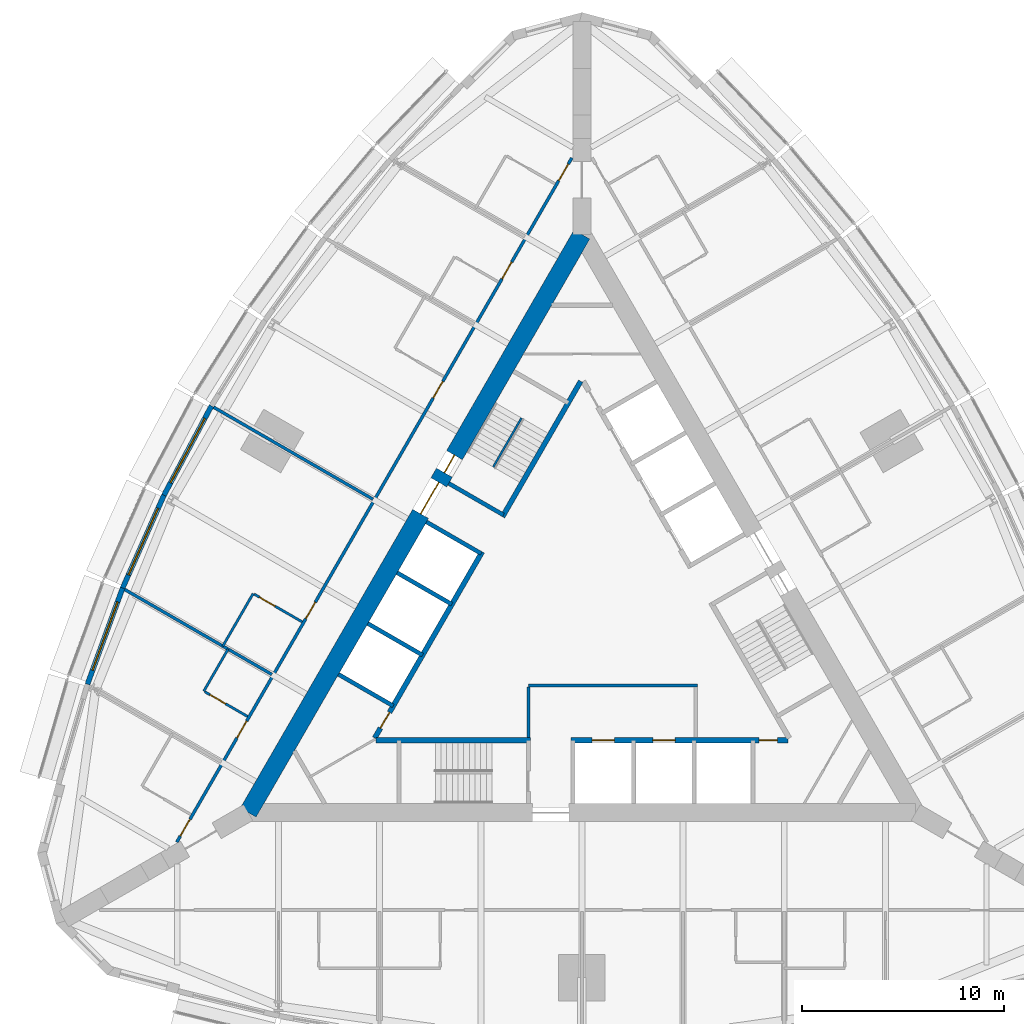
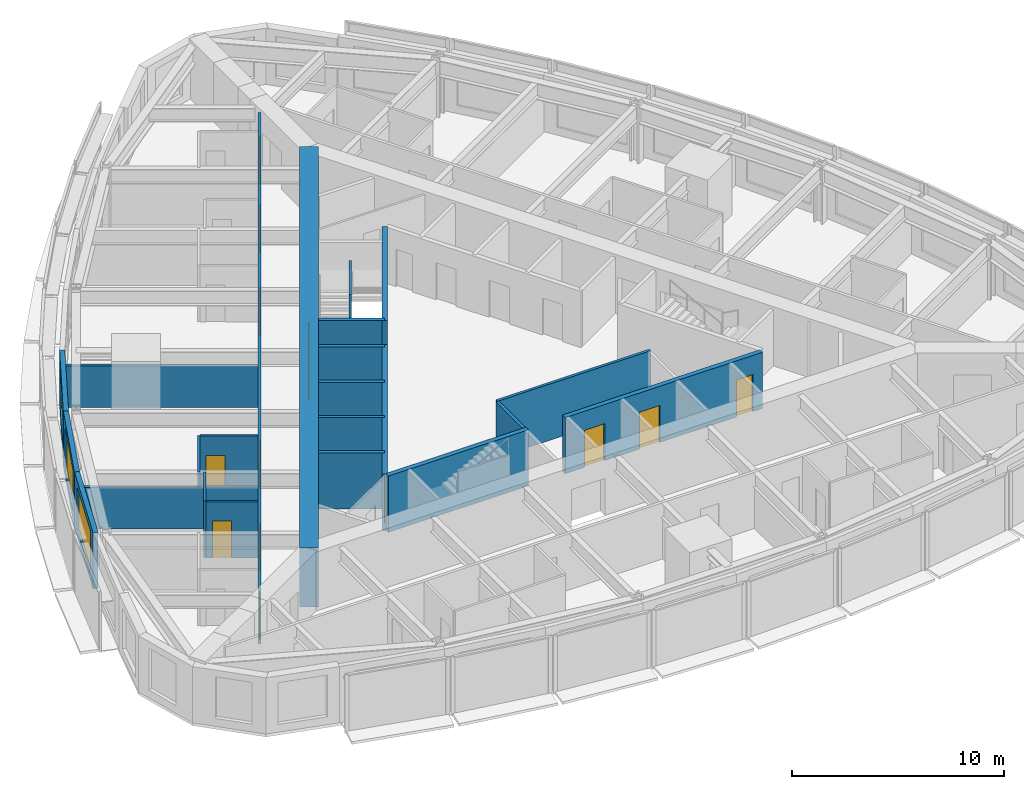
# One storey, part 9 of 14: 23 walls, 14 doors, 3 windows, 17 openings.
"""IFC4 building model written with IfcOpenShell, lengths in metres."""

import ifcopenshell
import ifcopenshell.guid

model = None  # the IFC model being written
_history = None  # IfcOwnerHistory: only IFC2X3 demands one
_inside = {}  # id of a spatial element -> (the spatial element, [elements in it])
_under = {}  # id of a project, library or spatial element -> (it, [spatial elements below it])
_declared = {}  # id of a project -> (the project, [libraries it declares])
_typed = {}  # id of a type object -> (the type object, [elements of that type])
_made_of = {}  # id of a material, layer set ... -> (it, [elements and type objects made of it])


def new_model(schema):
    """Start an empty IFC model of exactly this schema.

    Asked for "IFC4X3", IfcOpenShell would pick the latest addendum, in which some entities
    have other attributes; the version numbers below select the first issue.
    IFC2X3 requires an IfcOwnerHistory on every rooted entity: one is made here for all.
    """
    global model, _history
    if schema == "IFC4X3":
        model = ifcopenshell.file(schema_version=(4, 3, 0, 0))
    else:
        model = ifcopenshell.file(schema=schema)
    _inside.clear()
    _under.clear()
    _declared.clear()
    _typed.clear()
    _made_of.clear()
    _history = None
    if model.schema == "IFC2X3":
        org = make("IfcOrganization", Name="unknown")
        user = make(
            "IfcPersonAndOrganization",
            ThePerson=make("IfcPerson", FamilyName="unknown"),
            TheOrganization=org,
        )
        app = make(
            "IfcApplication",
            ApplicationDeveloper=org,
            Version="unknown",
            ApplicationFullName="unknown",
            ApplicationIdentifier="unknown",
        )
        _history = make(
            "IfcOwnerHistory",
            OwningUser=user,
            OwningApplication=app,
            ChangeAction="ADDED",
            CreationDate=0,
        )
    return model


def make(cls, **values):
    """One entity of the class cls with the attributes given. An attribute that is None is left unset."""
    return model.create_entity(
        cls, **{name: value for name, value in values.items() if value is not None}
    )


def rooted(cls, **values):
    """An entity with a GlobalId (a new one), such as an element, a storey or a relation."""
    return make(cls, GlobalId=ifcopenshell.guid.new(), OwnerHistory=_history, **values)


def si_unit(unit_type, name, prefix=None):
    """IfcSIUnit, for example si_unit("LENGTHUNIT", "METRE", prefix="MILLI")."""
    return make("IfcSIUnit", UnitType=unit_type, Prefix=prefix, Name=name)


def assignment(units):
    """IfcUnitAssignment: the units of a project."""
    return None if units is None else make("IfcUnitAssignment", Units=units)


def point(xyz):
    """IfcCartesianPoint."""
    return None if xyz is None else make("IfcCartesianPoint", Coordinates=xyz)


def direction(xyz):
    """IfcDirection."""
    return None if xyz is None else make("IfcDirection", DirectionRatios=xyz)


def frame(location, z_axis=None, x_axis=None):
    """IfcAxis2Placement3D, a coordinate frame: its origin and axes. An axis left out is left unset."""
    return make(
        "IfcAxis2Placement3D",
        Location=point(location),
        Axis=direction(z_axis),
        RefDirection=direction(x_axis),
    )


def frame_2d(location, x_axis=None):
    """IfcAxis2Placement2D, a coordinate frame in the plane: its origin and x axis."""
    return make(
        "IfcAxis2Placement2D", Location=point(location), RefDirection=direction(x_axis)
    )


def origin():
    """The frame at (0, 0, 0) with its axes left unset."""
    return frame((0.0, 0.0, 0.0))


def place(relative_to, where):
    """IfcLocalPlacement: puts the frame where relative to a parent placement (None: the world)."""
    return make(
        "IfcLocalPlacement", PlacementRelTo=relative_to, RelativePlacement=where
    )


def context(
    kind, dimensions, precision=None, world=None, true_north=None, identifier=None
):
    """IfcGeometricRepresentationContext, for example the 3D "Model" context."""
    return make(
        "IfcGeometricRepresentationContext",
        ContextIdentifier=identifier,
        ContextType=kind,
        CoordinateSpaceDimension=dimensions,
        Precision=precision,
        WorldCoordinateSystem=world,
        TrueNorth=true_north,
    )


def subcontext(parent, identifier, kind, view, scale=None):
    """IfcGeometricRepresentationSubContext, for example "Body" below "Model"."""
    return make(
        "IfcGeometricRepresentationSubContext",
        ContextIdentifier=identifier,
        ContextType=kind,
        ParentContext=parent,
        TargetScale=scale,
        TargetView=view,
    )


def project(units=None, contexts=None):
    """IfcProject with its units and contexts."""
    return rooted(
        "IfcProject",
        Name="project",
        RepresentationContexts=contexts,
        UnitsInContext=assignment(units),
    )


def spatial(cls, under=None, at=None, **own):
    """A site, building, storey or space (cls), placed at a placement, below another one or the project."""
    s = rooted(cls, ObjectPlacement=at, **own)
    if under is not None:
        _under.setdefault(under.id(), (under, []))[1].append(s)
    return s


def profile(cls, at=None, kind="AREA", **sizes):
    """A parametric profile (cls). Its sizes go by their IFC names, for example OverallWidth=200.0."""
    return make(cls, ProfileType=kind, Position=at, **sizes)


def rectangle(**sizes):
    """IfcRectangleProfileDef."""
    return profile("IfcRectangleProfileDef", **sizes)


def extrude(swept, where, along, depth):
    """IfcExtrudedAreaSolid: the profile swept, set in the frame where, extruded along a direction by depth."""
    return make(
        "IfcExtrudedAreaSolid",
        SweptArea=swept,
        Position=where,
        ExtrudedDirection=direction(along),
        Depth=depth,
    )


def shape(context_of_items, identifier, shape_type, items):
    """IfcShapeRepresentation: the items that make up one representation, for example the "Body"."""
    return make(
        "IfcShapeRepresentation",
        ContextOfItems=context_of_items,
        RepresentationIdentifier=identifier,
        RepresentationType=shape_type,
        Items=items,
    )


def material(Name=None, Category=None):
    """IfcMaterial."""
    return make("IfcMaterial", Name=Name, Category=Category)


def layer(
    of_material, thickness, ventilated=None, Name=None, Category=None, Priority=None
):
    """IfcMaterialLayer: one layer of a wall or slab, of a material (None: an air gap)."""
    return make(
        "IfcMaterialLayer",
        Material=of_material,
        LayerThickness=thickness,
        IsVentilated=ventilated,
        Name=Name,
        Category=Category,
        Priority=Priority,
    )


def layer_set(layers, Name=None):
    """IfcMaterialLayerSet."""
    return make("IfcMaterialLayerSet", MaterialLayers=layers, LayerSetName=Name)


def made_of(thing, what):
    """Note that an element or type object is made of a material, layer set ...; save() writes the relation."""
    if what is not None:
        _made_of.setdefault(what.id(), (what, []))[1].append(thing)
    return thing


def type_object(cls, material=None, **own):
    """A type object (cls), such as IfcWallType, which elements share."""
    return made_of(rooted(cls, **own), material)


def element(
    cls,
    number,
    at=None,
    inside=None,
    cuts=None,
    type_object=None,
    material=None,
    context=None,
    identifier="Body",
    shape_type=None,
    held_by="IfcProductDefinitionShape",
    body=None,
    shapes=None,
    **own,
):
    """One element of the class cls, such as IfcWall. Its Tag is "e" and its number.

    at: its placement. inside: the storey or other place that contains it. cuts: it is an
    opening in that element (IfcRelVoidsElement). A single representation is given by context,
    identifier, shape_type and body (its items); several are given by shapes. held_by: the class
    of the entity that holds the representations. save() writes the other relations.
    """
    e = rooted(cls, Tag="e%d" % number, ObjectPlacement=at, **own)
    if body is not None:
        shapes = [shape(context, identifier, shape_type, body)]
    if shapes is not None:
        e.Representation = make(held_by, Representations=shapes)
    if inside is not None:
        _inside.setdefault(inside.id(), (inside, []))[1].append(e)
    if cuts is not None:
        rooted(
            "IfcRelVoidsElement", RelatingBuildingElement=cuts, RelatedOpeningElement=e
        )
    if type_object is not None:
        _typed.setdefault(type_object.id(), (type_object, []))[1].append(e)
    return made_of(e, material)


def fill(opening, filler):
    """IfcRelFillsElement: the door or window that sits in an opening."""
    return rooted(
        "IfcRelFillsElement",
        RelatingOpeningElement=opening,
        RelatedBuildingElement=filler,
    )


def aggregate(whole, parts):
    """IfcRelAggregates: a whole, such as a stair, and the parts it consists of."""
    return rooted("IfcRelAggregates", RelatingObject=whole, RelatedObjects=parts)


def save(model, path):
    """Write the relations noted so far, then the file.

    IfcRelAggregates (storeys below a building ...), IfcRelContainedInSpatialStructure (elements
    in a storey), IfcRelDefinesByType, IfcRelAssociatesMaterial and IfcRelDeclares: one each for
    every whole, place, type object, material and project.
    """
    for whole, parts in _under.values():
        aggregate(whole, parts)
    for where, things in _inside.values():
        rooted(
            "IfcRelContainedInSpatialStructure",
            RelatedElements=things,
            RelatingStructure=where,
        )
    for kind, things in _typed.values():
        rooted("IfcRelDefinesByType", RelatedObjects=things, RelatingType=kind)
    for what, things in _made_of.values():
        rooted("IfcRelAssociatesMaterial", RelatedObjects=things, RelatingMaterial=what)
    for by, libraries in _declared.values():
        rooted("IfcRelDeclares", RelatingContext=by, RelatedDefinitions=libraries)
    model.write(path)


model = new_model("IFC4")

# Units and contexts
model_context = context("Model", 3, precision=1e-05, world=origin(), true_north=direction((0.0, 1.0)))
body_context = subcontext(model_context, "Body", "Model", "MODEL_VIEW")
ifc_project = project(units=[si_unit("LENGTHUNIT", "METRE"), si_unit("AREAUNIT", "SQUARE_METRE"), si_unit("VOLUMEUNIT", "CUBIC_METRE"), si_unit("PLANEANGLEUNIT", "RADIAN"), si_unit("MASSUNIT", "GRAM", prefix="KILO")], contexts=[model_context])

# Site, building, storey
site_placement = place(None, origin())
site = spatial("IfcSite", under=ifc_project, at=site_placement, CompositionType="ELEMENT")
building_placement = place(site_placement, origin())
building = spatial("IfcBuilding", under=site, at=building_placement, Name="Trikona Tower", CompositionType="ELEMENT")
storey_placement = place(building_placement, frame((0.0, 0.0, 155.5)))
storey = spatial("IfcBuildingStorey", under=building, at=storey_placement, Name="L41", CompositionType="ELEMENT", Elevation=155.5)

# Wall
ifc_material_1 = material(Name="Metal stud and cement board", Category="gypsum")
ifc_layer_1 = layer(ifc_material_1, 0.1201171875)
ifc_layer_set_1 = layer_set([ifc_layer_1], Name="Bathroom wall 120")
wall_type_1 = type_object("IfcWallType", Name="Bathroom wall 120", PredefinedType="PLUMBINGWALL", material=ifc_layer_set_1)
wall_1_placement = place(storey_placement, frame((-16.25341796875, 1.301025390625, 0.0), z_axis=(0.0, 0.0, 1.0), x_axis=(-0.499990139034, -0.866031096941, 0.0)))
element("IfcWall", 1, at=wall_1_placement, inside=storey, type_object=wall_type_1, Name="Bathroom wall 4113", PredefinedType="PLUMBINGWALL", context=body_context, shape_type="SweptSolid", body=[
    extrude(rectangle(XDim=3.0, YDim=0.1201171875, at=frame_2d((1.5, 0.0))), origin(), (0.0, 0.0, 1.0), 3.235107421875),
])

# Wall, opening, door
wall_2_placement = place(storey_placement, frame((-13.82861328125, -0.09912109375, 0.0), z_axis=(0.0, 0.0, 1.0), x_axis=(-0.865997131366, 0.500048966069, 0.0)))
wall_2 = element("IfcWall", 2, at=wall_2_placement, inside=storey, type_object=wall_type_1, Name="Bathroom wall 4113", PredefinedType="PLUMBINGWALL", context=body_context, shape_type="SweptSolid", body=[
    extrude(rectangle(XDim=2.739990234375, YDim=0.1201171875, at=frame_2d((1.3701171875, 0.0))), origin(), (0.0, 0.0, 1.0), 3.235107421875),
])
opening_1_placement = place(wall_2_placement, frame((1.550048828125, 0.0, 0.0)))
opening_1 = element("IfcOpeningElement", 3, at=opening_1_placement, cuts=wall_2, Name="Opening D2", PredefinedType="OPENING", context=body_context, shape_type="SweptSolid", body=[
    extrude(rectangle(XDim=0.89990234375, YDim=2.1298828125, at=frame_2d((0.449951171875, 1.06494140625))), frame((0.0, 0.070068359375, 0.0), z_axis=(0.0, -1.0, 0.0), x_axis=(1.0, 0.0, 0.0)), (0.0, 0.0, 1.0), 0.14013671875),
])
ifc_material_2 = material(Name="Steel door frame with solid-core timber leaf", Category="steel")
door_type_1 = type_object("IfcDoorType", Name="Bathroom door 900x2130", OperationType="SLIDING_TO_LEFT", PredefinedType="DOOR", material=ifc_material_2)
door_1_placement = place(opening_1_placement, origin())
door_1 = element("IfcDoor", 4, at=door_1_placement, inside=storey, type_object=door_type_1, Name="Bathroom door 4113", OperationType="SLIDING_TO_LEFT", OverallHeight=2.1298828125, OverallWidth=0.89990234375, PredefinedType="DOOR", context=body_context, shape_type="SweptSolid", body=[
    extrude(rectangle(XDim=0.89990234375, YDim=2.1298828125, at=frame_2d((0.449951171875, 1.06494140625))), frame((0.0, 0.02490234375, 0.0), z_axis=(0.0, -1.0, 0.0), x_axis=(1.0, 0.0, 0.0)), (0.0, 0.0, 1.0), 0.050048828125),
])
fill(opening_1, door_1)

# Wall
wall_3_placement = place(storey_placement, frame((-17.493408203125, -1.447021484375, 0.0), z_axis=(0.0, 0.0, 1.0), x_axis=(-0.500033551112, -0.866006032174, 0.0)))
element("IfcWall", 5, at=wall_3_placement, inside=storey, type_object=wall_type_1, Name="Bathroom wall 4114", PredefinedType="PLUMBINGWALL", context=body_context, shape_type="SweptSolid", body=[
    extrude(rectangle(XDim=2.400146484375, YDim=0.1201171875, at=frame_2d((1.2001953125, 0.0))), origin(), (0.0, 0.0, 1.0), 3.235107421875),
])

# Wall, opening, door
wall_4_placement = place(storey_placement, frame((-16.528564453125, -4.775634765625, 0.0), z_axis=(0.0, 0.0, 1.0), x_axis=(-0.866023955769, 0.500002508028, 0.0)))
wall_4 = element("IfcWall", 6, at=wall_4_placement, inside=storey, type_object=wall_type_1, Name="Bathroom wall 4114", PredefinedType="PLUMBINGWALL", context=body_context, shape_type="SweptSolid", body=[
    extrude(rectangle(XDim=2.43994140625, YDim=0.1201171875, at=frame_2d((1.219970703125, 0.0))), origin(), (0.0, 0.0, 1.0), 3.235107421875),
])
opening_2_placement = place(wall_4_placement, frame((1.25, 0.0, 0.0)))
opening_2 = element("IfcOpeningElement", 7, at=opening_2_placement, cuts=wall_4, Name="Opening D2", PredefinedType="OPENING", context=body_context, shape_type="SweptSolid", body=[
    extrude(rectangle(XDim=0.89990234375, YDim=2.1298828125, at=frame_2d((0.449951171875, 1.06494140625))), frame((0.0, 0.070068359375, 0.0), z_axis=(0.0, -1.0, 0.0), x_axis=(1.0, 0.0, 0.0)), (0.0, 0.0, 1.0), 0.14013671875),
])
door_2_placement = place(opening_2_placement, origin())
door_2 = element("IfcDoor", 8, at=door_2_placement, inside=storey, type_object=door_type_1, Name="Bathroom door 4114", OperationType="SLIDING_TO_LEFT", OverallHeight=2.1298828125, OverallWidth=0.89990234375, PredefinedType="DOOR", context=body_context, shape_type="SweptSolid", body=[
    extrude(rectangle(XDim=0.89990234375, YDim=2.1298828125, at=frame_2d((0.449951171875, 1.06494140625))), frame((0.0, 0.02490234375, 0.0), z_axis=(0.0, -1.0, 0.0), x_axis=(1.0, 0.0, 0.0)), (0.0, 0.0, 1.0), 0.050048828125),
])
fill(opening_2, door_2)

# Wall, openings, doors
ifc_material_3 = material(Name="Concrete f'c 10000 psi", Category="concrete")
ifc_layer_2 = layer(ifc_material_3, 0.89990234375)
ifc_layer_set_2 = layer_set([ifc_layer_2], Name="Core wall 900")
wall_type_2 = type_object("IfcWallType", Name="Core wall 900", PredefinedType="SHEAR", material=ifc_layer_set_2)
wall_5_placement = place(storey_placement, frame((0.0, 19.052490234375, 0.0), z_axis=(0.0, 0.0, 1.0), x_axis=(-0.499999749417, -0.866025548458, 0.0)))
wall_5 = element("IfcWall", 9, at=wall_5_placement, inside=storey, type_object=wall_type_2, Name="Core wall C", PredefinedType="SHEAR", context=body_context, shape_type="SweptSolid", body=[
    extrude(rectangle(XDim=33.0, YDim=0.89990234375, at=frame_2d((16.5, 0.0))), origin(), (0.0, 0.0, 1.0), 3.39990234375),
])
opening_3_placement = place(wall_5_placement, frame((14.14990234375, 0.0, 0.0)))
opening_3 = element("IfcOpeningElement", 10, at=opening_3_placement, cuts=wall_5, Name="Opening D6", PredefinedType="OPENING", context=body_context, shape_type="SweptSolid", body=[
    extrude(rectangle(XDim=1.800048828125, YDim=2.1298828125, at=frame_2d((0.89990234375, 1.06494140625))), frame((0.0, 0.4599609375, 0.0), z_axis=(0.0, -1.0, 0.0), x_axis=(1.0, 0.0, 0.0)), (0.0, 0.0, 1.0), 0.919921875),
])
opening_4_placement = place(wall_5_placement, frame((12.60009765625, 0.0, 0.0)))
opening_4 = element("IfcOpeningElement", 11, at=opening_4_placement, cuts=wall_5, Name="Opening D5", PredefinedType="OPENING", context=body_context, shape_type="SweptSolid", body=[
    extrude(rectangle(XDim=1.0, YDim=2.1298828125, at=frame_2d((0.5, 1.06494140625))), frame((0.0, 0.4599609375, 0.0), z_axis=(0.0, -1.0, 0.0), x_axis=(1.0, 0.0, 0.0)), (0.0, 0.0, 1.0), 0.919921875),
])
ifc_material_4 = material(Name="Hollow metal door and frame", Category="steel")
door_type_2 = type_object("IfcDoorType", Name="Lobby door pair 1800x2130", OperationType="DOUBLE_DOOR_SINGLE_SWING", PredefinedType="DOOR", material=ifc_material_4)
door_3_placement = place(opening_3_placement, origin())
door_3 = element("IfcDoor", 12, at=door_3_placement, inside=storey, type_object=door_type_2, Name="Lift lobby door C", OperationType="DOUBLE_DOOR_SINGLE_SWING", OverallHeight=2.1298828125, OverallWidth=1.800048828125, PredefinedType="DOOR", context=body_context, shape_type="SweptSolid", body=[
    extrude(rectangle(XDim=1.800048828125, YDim=2.1298828125, at=frame_2d((0.89990234375, 1.06494140625))), frame((0.0, 0.02490234375, 0.0), z_axis=(0.0, -1.0, 0.0), x_axis=(1.0, 0.0, 0.0)), (0.0, 0.0, 1.0), 0.050048828125),
])
fill(opening_3, door_3)
ifc_material_5 = material(Name="Hollow metal door and frame", Category="steel")
door_type_3 = type_object("IfcDoorType", Name="Stair door 1000x2130", OperationType="SINGLE_SWING_LEFT", PredefinedType="DOOR", material=ifc_material_5)
door_4_placement = place(opening_4_placement, origin())
door_4 = element("IfcDoor", 13, at=door_4_placement, inside=storey, type_object=door_type_3, Name="Stair C door", OperationType="SINGLE_SWING_RIGHT", OverallHeight=2.1298828125, OverallWidth=1.0, PredefinedType="DOOR", context=body_context, shape_type="SweptSolid", body=[
    extrude(rectangle(XDim=1.0, YDim=2.1298828125, at=frame_2d((0.5, 1.06494140625))), frame((0.0, 0.02490234375, 0.0), z_axis=(0.0, -1.0, 0.0), x_axis=(1.0, 0.0, 0.0)), (0.0, 0.0, 1.0), 0.050048828125),
])
fill(opening_4, door_4)

ifc_material_6 = material(Name="Metal stud and gypsum board, 1-hour", Category="gypsum")
ifc_layer_3 = layer(ifc_material_6, 0.14990234375)
ifc_layer_set_3 = layer_set([ifc_layer_3], Name="Corridor wall 150")
wall_type_3 = type_object("IfcWallType", Name="Corridor wall 150", PredefinedType="PARTITIONING", material=ifc_layer_set_3)
wall_6_placement = place(storey_placement, frame((-0.5, 22.83642578125, 0.0), z_axis=(0.0, 0.0, 1.0), x_axis=(-0.500001677587, -0.866024435227, 0.0)))
wall_6 = element("IfcWall", 14, at=wall_6_placement, inside=storey, type_object=wall_type_3, Name="Corridor wall L41-3", PredefinedType="PARTITIONING", context=body_context, shape_type="SweptSolid", body=[
    extrude(rectangle(XDim=39.053955078125, YDim=0.14990234375, at=frame_2d((19.52685546875, 0.0))), origin(), (0.0, 0.0, 1.0), 3.235107421875),
])
opening_5_placement = place(wall_6_placement, frame((0.35205078125, 0.0, 0.0)))
opening_5 = element("IfcOpeningElement", 15, at=opening_5_placement, cuts=wall_6, Name="Opening D1", PredefinedType="OPENING", context=body_context, shape_type="SweptSolid", body=[
    extrude(rectangle(XDim=0.949951171875, YDim=2.1298828125, at=frame_2d((0.47509765625, 1.06494140625))), frame((0.0, 0.0849609375, 0.0), z_axis=(0.0, -1.0, 0.0), x_axis=(1.0, 0.0, 0.0)), (0.0, 0.0, 1.0), 0.169921875),
])
opening_6_placement = place(wall_6_placement, frame((5.951904296875, 0.0, 0.0)))
opening_6 = element("IfcOpeningElement", 16, at=opening_6_placement, cuts=wall_6, Name="Opening D1", PredefinedType="OPENING", context=body_context, shape_type="SweptSolid", body=[
    extrude(rectangle(XDim=0.949951171875, YDim=2.1298828125, at=frame_2d((0.47509765625, 1.06494140625))), frame((0.0, 0.0849609375, 0.0), z_axis=(0.0, -1.0, 0.0), x_axis=(1.0, 0.0, 0.0)), (0.0, 0.0, 1.0), 0.169921875),
])
opening_7_placement = place(wall_6_placement, frame((12.751953125, 0.0, 0.0)))
opening_7 = element("IfcOpeningElement", 17, at=opening_7_placement, cuts=wall_6, Name="Opening D1", PredefinedType="OPENING", context=body_context, shape_type="SweptSolid", body=[
    extrude(rectangle(XDim=0.949951171875, YDim=2.1298828125, at=frame_2d((0.47509765625, 1.06494140625))), frame((0.0, 0.0849609375, 0.0), z_axis=(0.0, -1.0, 0.0), x_axis=(1.0, 0.0, 0.0)), (0.0, 0.0, 1.0), 0.169921875),
])
opening_8_placement = place(wall_6_placement, frame((25.35205078125, 0.0, 0.0)))
opening_8 = element("IfcOpeningElement", 18, at=opening_8_placement, cuts=wall_6, Name="Opening D1", PredefinedType="OPENING", context=body_context, shape_type="SweptSolid", body=[
    extrude(rectangle(XDim=0.949951171875, YDim=2.1298828125, at=frame_2d((0.47509765625, 1.06494140625))), frame((0.0, 0.0849609375, 0.0), z_axis=(0.0, -1.0, 0.0), x_axis=(1.0, 0.0, 0.0)), (0.0, 0.0, 1.0), 0.169921875),
])
opening_9_placement = place(wall_6_placement, frame((32.152099609375, 0.0, 0.0)))
opening_9 = element("IfcOpeningElement", 19, at=opening_9_placement, cuts=wall_6, Name="Opening D1", PredefinedType="OPENING", context=body_context, shape_type="SweptSolid", body=[
    extrude(rectangle(XDim=0.949951171875, YDim=2.1298828125, at=frame_2d((0.47509765625, 1.06494140625))), frame((0.0, 0.0849609375, 0.0), z_axis=(0.0, -1.0, 0.0), x_axis=(1.0, 0.0, 0.0)), (0.0, 0.0, 1.0), 0.169921875),
])
opening_10_placement = place(wall_6_placement, frame((37.751953125, 0.0, 0.0)))
opening_10 = element("IfcOpeningElement", 20, at=opening_10_placement, cuts=wall_6, Name="Opening D1", PredefinedType="OPENING", context=body_context, shape_type="SweptSolid", body=[
    extrude(rectangle(XDim=0.949951171875, YDim=2.1298828125, at=frame_2d((0.47509765625, 1.06494140625))), frame((0.0, 0.0849609375, 0.0), z_axis=(0.0, -1.0, 0.0), x_axis=(1.0, 0.0, 0.0)), (0.0, 0.0, 1.0), 0.169921875),
])
ifc_material_7 = material(Name="Steel door frame with solid-core timber leaf", Category="steel")
door_type_4 = type_object("IfcDoorType", Name="Guest room door 950x2130", OperationType="SINGLE_SWING_LEFT", PredefinedType="DOOR", material=ifc_material_7)
door_5_placement = place(opening_5_placement, origin())
door_5 = element("IfcDoor", 21, at=door_5_placement, inside=storey, type_object=door_type_4, Name="Room door 4110", OperationType="SINGLE_SWING_LEFT", OverallHeight=2.1298828125, OverallWidth=0.949951171875, PredefinedType="DOOR", context=body_context, shape_type="SweptSolid", body=[
    extrude(rectangle(XDim=0.949951171875, YDim=2.1298828125, at=frame_2d((0.47509765625, 1.06494140625))), frame((0.0, 0.02490234375, 0.0), z_axis=(0.0, -1.0, 0.0), x_axis=(1.0, 0.0, 0.0)), (0.0, 0.0, 1.0), 0.050048828125),
])
fill(opening_5, door_5)
door_6_placement = place(opening_6_placement, origin())
door_6 = element("IfcDoor", 22, at=door_6_placement, inside=storey, type_object=door_type_4, Name="Room door 4111", OperationType="SINGLE_SWING_RIGHT", OverallHeight=2.1298828125, OverallWidth=0.949951171875, PredefinedType="DOOR", context=body_context, shape_type="SweptSolid", body=[
    extrude(rectangle(XDim=0.949951171875, YDim=2.1298828125, at=frame_2d((0.47509765625, 1.06494140625))), frame((0.0, 0.02490234375, 0.0), z_axis=(0.0, -1.0, 0.0), x_axis=(1.0, 0.0, 0.0)), (0.0, 0.0, 1.0), 0.050048828125),
])
fill(opening_6, door_6)
door_7_placement = place(opening_7_placement, origin())
door_7 = element("IfcDoor", 23, at=door_7_placement, inside=storey, type_object=door_type_4, Name="Room door 4112", OperationType="SINGLE_SWING_LEFT", OverallHeight=2.1298828125, OverallWidth=0.949951171875, PredefinedType="DOOR", context=body_context, shape_type="SweptSolid", body=[
    extrude(rectangle(XDim=0.949951171875, YDim=2.1298828125, at=frame_2d((0.47509765625, 1.06494140625))), frame((0.0, 0.02490234375, 0.0), z_axis=(0.0, -1.0, 0.0), x_axis=(1.0, 0.0, 0.0)), (0.0, 0.0, 1.0), 0.050048828125),
])
fill(opening_7, door_7)
door_8_placement = place(opening_8_placement, origin())
door_8 = element("IfcDoor", 24, at=door_8_placement, inside=storey, type_object=door_type_4, Name="Room door 4113", OperationType="SINGLE_SWING_RIGHT", OverallHeight=2.1298828125, OverallWidth=0.949951171875, PredefinedType="DOOR", context=body_context, shape_type="SweptSolid", body=[
    extrude(rectangle(XDim=0.949951171875, YDim=2.1298828125, at=frame_2d((0.47509765625, 1.06494140625))), frame((0.0, 0.02490234375, 0.0), z_axis=(0.0, -1.0, 0.0), x_axis=(1.0, 0.0, 0.0)), (0.0, 0.0, 1.0), 0.050048828125),
])
fill(opening_8, door_8)
door_9_placement = place(opening_9_placement, origin())
door_9 = element("IfcDoor", 25, at=door_9_placement, inside=storey, type_object=door_type_4, Name="Room door 4114", OperationType="SINGLE_SWING_LEFT", OverallHeight=2.1298828125, OverallWidth=0.949951171875, PredefinedType="DOOR", context=body_context, shape_type="SweptSolid", body=[
    extrude(rectangle(XDim=0.949951171875, YDim=2.1298828125, at=frame_2d((0.47509765625, 1.06494140625))), frame((0.0, 0.02490234375, 0.0), z_axis=(0.0, -1.0, 0.0), x_axis=(1.0, 0.0, 0.0)), (0.0, 0.0, 1.0), 0.050048828125),
])
fill(opening_9, door_9)
door_10_placement = place(opening_10_placement, origin())
door_10 = element("IfcDoor", 26, at=door_10_placement, inside=storey, type_object=door_type_4, Name="Room door 4115", OperationType="SINGLE_SWING_RIGHT", OverallHeight=2.1298828125, OverallWidth=0.949951171875, PredefinedType="DOOR", context=body_context, shape_type="SweptSolid", body=[
    extrude(rectangle(XDim=0.949951171875, YDim=2.1298828125, at=frame_2d((0.47509765625, 1.06494140625))), frame((0.0, 0.02490234375, 0.0), z_axis=(0.0, -1.0, 0.0), x_axis=(1.0, 0.0, 0.0)), (0.0, 0.0, 1.0), 0.050048828125),
])
fill(opening_10, door_10)

# Wall
ifc_material_8 = material(Name="Concrete f'c 8000 psi", Category="concrete")
ifc_layer_4 = layer(ifc_material_8, 0.25)
ifc_layer_set_4 = layer_set([ifc_layer_4], Name="Hub wall 250")
wall_type_4 = type_object("IfcWallType", Name="Hub wall 250", PredefinedType="SOLIDWALL", material=ifc_layer_set_4)
wall_7_placement = place(storey_placement, frame((-10.182861328125, -5.951416015625, 0.0), z_axis=(0.0, 0.0, 1.0), x_axis=(1.0, 0.0, 0.0)))
element("IfcWall", 27, at=wall_7_placement, inside=storey, type_object=wall_type_4, Name="Lift lobby wall A1", PredefinedType="SOLIDWALL", context=body_context, shape_type="SweptSolid", body=[
    extrude(rectangle(XDim=7.6328125, YDim=0.25, at=frame_2d((3.81640625, 0.0))), origin(), (0.0, 0.0, 1.0), 3.235107421875),
])

# Wall, openings, doors
wall_8_placement = place(storey_placement, frame((-0.550048828125, -5.951416015625, 0.0), z_axis=(0.0, 0.0, 1.0), x_axis=(1.0, 0.0, 0.0)))
wall_8 = element("IfcWall", 28, at=wall_8_placement, inside=storey, type_object=wall_type_4, Name="Lift lobby wall A2", PredefinedType="SOLIDWALL", context=body_context, shape_type="SweptSolid", body=[
    extrude(rectangle(XDim=10.73291015625, YDim=0.25, at=frame_2d((5.366455078125, 0.0))), origin(), (0.0, 0.0, 1.0), 3.235107421875),
])
opening_11_placement = place(wall_8_placement, frame((9.31396484375, 0.0, 0.0)))
opening_11 = element("IfcOpeningElement", 29, at=opening_11_placement, cuts=wall_8, Name="Opening D14", PredefinedType="OPENING", context=body_context, shape_type="SweptSolid", body=[
    extrude(rectangle(XDim=0.89990234375, YDim=2.1298828125, at=frame_2d((0.449951171875, 1.06494140625))), frame((0.0, 0.135009765625, 0.0), z_axis=(0.0, -1.0, 0.0), x_axis=(1.0, 0.0, 0.0)), (0.0, 0.0, 1.0), 0.27001953125),
])
opening_12_placement = place(wall_8_placement, frame((1.050048828125, 0.0, 0.0)))
opening_12 = element("IfcOpeningElement", 30, at=opening_12_placement, cuts=wall_8, Name="Opening LD", PredefinedType="OPENING", context=body_context, shape_type="SweptSolid", body=[
    extrude(rectangle(XDim=1.10009765625, YDim=2.1298828125, at=frame_2d((0.550048828125, 1.06494140625))), frame((0.0, 0.135009765625, 0.0), z_axis=(0.0, -1.0, 0.0), x_axis=(1.0, 0.0, 0.0)), (0.0, 0.0, 1.0), 0.27001953125),
])
opening_13_placement = place(wall_8_placement, frame((4.050048828125, 0.0, 0.0)))
opening_13 = element("IfcOpeningElement", 31, at=opening_13_placement, cuts=wall_8, Name="Opening LD", PredefinedType="OPENING", context=body_context, shape_type="SweptSolid", body=[
    extrude(rectangle(XDim=1.10009765625, YDim=2.1298828125, at=frame_2d((0.550048828125, 1.06494140625))), frame((0.0, 0.135009765625, 0.0), z_axis=(0.0, -1.0, 0.0), x_axis=(1.0, 0.0, 0.0)), (0.0, 0.0, 1.0), 0.27001953125),
])
ifc_material_9 = material(Name="Stainless steel lift landing door", Category="steel")
door_type_5 = type_object("IfcDoorType", Name="Lift landing door 1100x2130", OperationType="DOUBLE_DOOR_SLIDING", PredefinedType="USERDEFINED", material=ifc_material_9)
door_11_placement = place(opening_12_placement, origin())
door_11 = element("IfcDoor", 32, at=door_11_placement, inside=storey, type_object=door_type_5, Name="Lift landing door FF1", ObjectType="LIFT LANDING DOOR", OperationType="DOUBLE_DOOR_SLIDING", OverallHeight=2.1298828125, OverallWidth=1.10009765625, PredefinedType="USERDEFINED", context=body_context, shape_type="SweptSolid", body=[
    extrude(rectangle(XDim=1.10009765625, YDim=2.1298828125, at=frame_2d((0.550048828125, 1.06494140625))), frame((0.0, 0.02490234375, 0.0), z_axis=(0.0, -1.0, 0.0), x_axis=(1.0, 0.0, 0.0)), (0.0, 0.0, 1.0), 0.050048828125),
])
fill(opening_12, door_11)
door_12_placement = place(opening_13_placement, origin())
door_12 = element("IfcDoor", 33, at=door_12_placement, inside=storey, type_object=door_type_5, Name="Lift landing door FF2", ObjectType="LIFT LANDING DOOR", OperationType="DOUBLE_DOOR_SLIDING", OverallHeight=2.1298828125, OverallWidth=1.10009765625, PredefinedType="USERDEFINED", context=body_context, shape_type="SweptSolid", body=[
    extrude(rectangle(XDim=1.10009765625, YDim=2.1298828125, at=frame_2d((0.550048828125, 1.06494140625))), frame((0.0, 0.02490234375, 0.0), z_axis=(0.0, -1.0, 0.0), x_axis=(1.0, 0.0, 0.0)), (0.0, 0.0, 1.0), 0.050048828125),
])
fill(opening_13, door_12)
ifc_material_10 = material(Name="Hollow metal door and frame", Category="steel")
door_type_6 = type_object("IfcDoorType", Name="Service room door 900x2130", OperationType="SINGLE_SWING_LEFT", PredefinedType="DOOR", material=ifc_material_10)
door_13_placement = place(opening_11_placement, origin())
door_13 = element("IfcDoor", 34, at=door_13_placement, inside=storey, type_object=door_type_6, Name="Door Linen store LIN", OperationType="SINGLE_SWING_RIGHT", OverallHeight=2.1298828125, OverallWidth=0.89990234375, PredefinedType="DOOR", context=body_context, shape_type="SweptSolid", body=[
    extrude(rectangle(XDim=0.89990234375, YDim=2.1298828125, at=frame_2d((0.449951171875, 1.06494140625))), frame((0.0, 0.02490234375, 0.0), z_axis=(0.0, -1.0, 0.0), x_axis=(1.0, 0.0, 0.0)), (0.0, 0.0, 1.0), 0.050048828125),
])
fill(opening_11, door_13)

# Wall
wall_9_placement = place(storey_placement, frame((-0.0625, 11.794189453125, 0.0), z_axis=(0.0, 0.0, 1.0), x_axis=(-0.500006680225, -0.86602154692, 0.0)))
element("IfcWall", 35, at=wall_9_placement, inside=storey, type_object=wall_type_4, Name="Lift lobby wall C1", PredefinedType="SOLIDWALL", context=body_context, shape_type="SweptSolid", body=[
    extrude(rectangle(XDim=7.73291015625, YDim=0.25, at=frame_2d((3.866455078125, 0.0))), origin(), (0.0, 0.0, 1.0), 3.235107421875),
])

# Wall, opening, door
wall_10_placement = place(storey_placement, frame((-4.928955078125, 3.365478515625, 0.0), z_axis=(0.0, 0.0, 1.0), x_axis=(-0.499991433582, -0.866030349552, 0.0)))
wall_10 = element("IfcWall", 36, at=wall_10_placement, inside=storey, type_object=wall_type_4, Name="Lift lobby wall C2", PredefinedType="SOLIDWALL", context=body_context, shape_type="SweptSolid", body=[
    extrude(rectangle(XDim=10.633056640625, YDim=0.25, at=frame_2d((5.31640625, 0.0))), origin(), (0.0, 0.0, 1.0), 3.235107421875),
])
opening_14_placement = place(wall_10_placement, frame((9.1640625, 0.0, 0.0)))
opening_14 = element("IfcOpeningElement", 37, at=opening_14_placement, cuts=wall_10, Name="Opening D14", PredefinedType="OPENING", context=body_context, shape_type="SweptSolid", body=[
    extrude(rectangle(XDim=0.89990234375, YDim=2.1298828125, at=frame_2d((0.449951171875, 1.06494140625))), frame((0.0, 0.135009765625, 0.0), z_axis=(0.0, -1.0, 0.0), x_axis=(1.0, 0.0, 0.0)), (0.0, 0.0, 1.0), 0.27001953125),
])
door_14_placement = place(opening_14_placement, origin())
door_14 = element("IfcDoor", 38, at=door_14_placement, inside=storey, type_object=door_type_6, Name="Door Ice and vending ICE", OperationType="SINGLE_SWING_RIGHT", OverallHeight=2.1298828125, OverallWidth=0.89990234375, PredefinedType="DOOR", context=body_context, shape_type="SweptSolid", body=[
    extrude(rectangle(XDim=0.89990234375, YDim=2.1298828125, at=frame_2d((0.449951171875, 1.06494140625))), frame((0.0, 0.02490234375, 0.0), z_axis=(0.0, -1.0, 0.0), x_axis=(1.0, 0.0, 0.0)), (0.0, 0.0, 1.0), 0.050048828125),
])
fill(opening_14, door_14)

# Wall, opening, window
ifc_material_11 = material(Name="Insulated precast concrete spandrel panel", Category="concrete")
ifc_layer_5 = layer(ifc_material_11, 0.25)
ifc_layer_set_5 = layer_set([ifc_layer_5], Name="Inner skin wall 250")
wall_type_5 = type_object("IfcWallType", Name="Inner skin wall 250", PredefinedType="STANDARD", material=ifc_layer_set_5)
wall_11_placement = place(storey_placement, frame((-18.314453125, 10.578857421875, 0.0), z_axis=(0.0, 0.0, 1.0), x_axis=(-0.469404966864, -0.882982999317, 0.0)))
wall_11 = element("IfcWall", 39, at=wall_11_placement, inside=storey, type_object=wall_type_5, Name="External wall L41-28", PredefinedType="STANDARD", context=body_context, shape_type="SweptSolid", body=[
    extrude(rectangle(XDim=5.0029296875, YDim=0.25, at=frame_2d((2.50146484375, 0.0))), origin(), (0.0, 0.0, 1.0), 3.235107421875),
])
opening_15_placement = place(wall_11_placement, frame((0.701416015625, 0.0, 0.449951171875)))
opening_15 = element("IfcOpeningElement", 40, at=opening_15_placement, cuts=wall_11, Name="Opening W3624", PredefinedType="OPENING", context=body_context, shape_type="SweptSolid", body=[
    extrude(rectangle(XDim=3.60009765625, YDim=2.39990234375, at=frame_2d((1.800048828125, 1.199951171875))), frame((0.0, 0.135009765625, 0.0), z_axis=(0.0, -1.0, 0.0), x_axis=(1.0, 0.0, 0.0)), (0.0, 0.0, 1.0), 0.27001953125),
])
ifc_material_12 = material(Name="Aluminium-framed double glazing", Category="aluminium")
window_type = type_object("IfcWindowType", Name="Window 3600x2400", PartitioningType="SINGLE_PANEL", PredefinedType="WINDOW", material=ifc_material_12)
window_1_placement = place(opening_15_placement, origin())
window_1 = element("IfcWindow", 41, at=window_1_placement, inside=storey, type_object=window_type, Name="Window 4113", OverallHeight=2.39990234375, OverallWidth=3.60009765625, PartitioningType="SINGLE_PANEL", PredefinedType="WINDOW", context=body_context, shape_type="SweptSolid", body=[
    extrude(rectangle(XDim=3.60009765625, YDim=2.39990234375, at=frame_2d((1.800048828125, 1.199951171875))), frame((0.0, 0.030029296875, 0.0), z_axis=(0.0, -1.0, 0.0), x_axis=(1.0, 0.0, 0.0)), (0.0, 0.0, 1.0), 0.06005859375),
])
fill(opening_15, window_1)

wall_12_placement = place(storey_placement, frame((-20.6591796875, 6.169189453125, 0.0), z_axis=(0.0, 0.0, 1.0), x_axis=(-0.406832200364, -0.913502906808, 0.0)))
wall_12 = element("IfcWall", 42, at=wall_12_placement, inside=storey, type_object=wall_type_5, Name="External wall L41-29", PredefinedType="STANDARD", context=body_context, shape_type="SweptSolid", body=[
    extrude(rectangle(XDim=5.027587890625, YDim=0.25, at=frame_2d((2.513671875, 0.0))), origin(), (0.0, 0.0, 1.0), 3.235107421875),
])
opening_16_placement = place(wall_12_placement, frame((0.713623046875, 0.0, 0.449951171875)))
opening_16 = element("IfcOpeningElement", 43, at=opening_16_placement, cuts=wall_12, Name="Opening W3624", PredefinedType="OPENING", context=body_context, shape_type="SweptSolid", body=[
    extrude(rectangle(XDim=3.60009765625, YDim=2.39990234375, at=frame_2d((1.800048828125, 1.199951171875))), frame((0.0, 0.135009765625, 0.0), z_axis=(0.0, -1.0, 0.0), x_axis=(1.0, 0.0, 0.0)), (0.0, 0.0, 1.0), 0.27001953125),
])
window_2_placement = place(opening_16_placement, origin())
window_2 = element("IfcWindow", 44, at=window_2_placement, inside=storey, type_object=window_type, Name="Window 4113", OverallHeight=2.39990234375, OverallWidth=3.60009765625, PartitioningType="SINGLE_PANEL", PredefinedType="WINDOW", context=body_context, shape_type="SweptSolid", body=[
    extrude(rectangle(XDim=3.60009765625, YDim=2.39990234375, at=frame_2d((1.800048828125, 1.199951171875))), frame((0.0, 0.030029296875, 0.0), z_axis=(0.0, -1.0, 0.0), x_axis=(1.0, 0.0, 0.0)), (0.0, 0.0, 1.0), 0.06005859375),
])
fill(opening_16, window_2)

wall_13_placement = place(storey_placement, frame((-22.701416015625, 1.58447265625, 0.0), z_axis=(0.0, 0.0, 1.0), x_axis=(-0.343225593282, -0.939252996863, 0.0)))
wall_13 = element("IfcWall", 45, at=wall_13_placement, inside=storey, type_object=wall_type_5, Name="External wall L41-30", PredefinedType="STANDARD", context=body_context, shape_type="SweptSolid", body=[
    extrude(rectangle(XDim=5.075927734375, YDim=0.25, at=frame_2d((2.5380859375, 0.0))), origin(), (0.0, 0.0, 1.0), 3.235107421875),
])
opening_17_placement = place(wall_13_placement, frame((0.738037109375, 0.0, 0.449951171875)))
opening_17 = element("IfcOpeningElement", 46, at=opening_17_placement, cuts=wall_13, Name="Opening W3624", PredefinedType="OPENING", context=body_context, shape_type="SweptSolid", body=[
    extrude(rectangle(XDim=3.60009765625, YDim=2.39990234375, at=frame_2d((1.800048828125, 1.199951171875))), frame((0.0, 0.135009765625, 0.0), z_axis=(0.0, -1.0, 0.0), x_axis=(1.0, 0.0, 0.0)), (0.0, 0.0, 1.0), 0.27001953125),
])
window_3_placement = place(opening_17_placement, origin())
window_3 = element("IfcWindow", 47, at=window_3_placement, inside=storey, type_object=window_type, Name="Window 4114", OverallHeight=2.39990234375, OverallWidth=3.60009765625, PartitioningType="SINGLE_PANEL", PredefinedType="WINDOW", context=body_context, shape_type="SweptSolid", body=[
    extrude(rectangle(XDim=3.60009765625, YDim=2.39990234375, at=frame_2d((1.800048828125, 1.199951171875))), frame((0.0, 0.030029296875, 0.0), z_axis=(0.0, -1.0, 0.0), x_axis=(1.0, 0.0, 0.0)), (0.0, 0.0, 1.0), 0.06005859375),
])
fill(opening_17, window_3)

# Walls
ifc_material_13 = material(Name="Metal stud and gypsum board, 2-hour shaft wall", Category="gypsum")
ifc_layer_6 = layer(ifc_material_13, 0.14990234375)
ifc_layer_set_6 = layer_set([ifc_layer_6], Name="Lobby wall 150")
wall_type_6 = type_object("IfcWallType", Name="Lobby wall 150", PredefinedType="PARTITIONING", material=ifc_layer_set_6)
wall_14_placement = place(storey_placement, frame((-2.64990234375, -3.251220703125, 0.0), z_axis=(0.0, 0.0, 1.0), x_axis=(1.0, 0.0, 0.0)))
element("IfcWall", 48, at=wall_14_placement, inside=storey, type_object=wall_type_6, Name="Fire service lift lobby wall 1", PredefinedType="PARTITIONING", context=body_context, shape_type="SweptSolid", body=[
    extrude(rectangle(XDim=8.349853515625, YDim=0.14990234375, at=frame_2d((4.1748046875, 0.0))), origin(), (0.0, 0.0, 1.0), 3.235107421875),
])
wall_15_placement = place(storey_placement, frame((-2.64990234375, -5.826416015625, 0.0), z_axis=(0.0, 0.0, 1.0), x_axis=(0.0, 1.0, 0.0)))
element("IfcWall", 49, at=wall_15_placement, inside=storey, type_object=wall_type_6, Name="Fire service lift lobby wall 2", PredefinedType="PARTITIONING", context=body_context, shape_type="SweptSolid", body=[
    extrude(rectangle(XDim=2.5, YDim=0.14990234375, at=frame_2d((1.25, 0.0))), origin(), (0.0, 0.0, 1.0), 3.235107421875),
])
ifc_material_14 = material(Name="Metal stud and gypsum board, 1-hour acoustic", Category="gypsum")
ifc_layer_7 = layer(ifc_material_14, 0.14990234375)
ifc_layer_set_7 = layer_set([ifc_layer_7], Name="Party wall 150")
wall_type_7 = type_object("IfcWallType", Name="Party wall 150", PredefinedType="PARTITIONING", material=ifc_layer_set_7)
wall_16_placement = place(storey_placement, frame((-10.32861328125, 5.963134765625, 0.0), z_axis=(0.0, 0.0, 1.0), x_axis=(-0.866025170687, 0.500000403736, 0.0)))
element("IfcWall", 50, at=wall_16_placement, inside=storey, type_object=wall_type_7, Name="Partition L41 F3 u0", PredefinedType="PARTITIONING", context=body_context, shape_type="SweptSolid", body=[
    extrude(rectangle(XDim=9.0986328125, YDim=0.14990234375, at=frame_2d((4.54931640625, 0.0))), origin(), (0.0, 0.0, 1.0), 2.38916015625),
])
wall_17_placement = place(storey_placement, frame((-15.32861328125, -2.697021484375, 0.0), z_axis=(0.0, 0.0, 1.0), x_axis=(-0.866024316602, 0.50000188305, 0.0)))
element("IfcWall", 51, at=wall_17_placement, inside=storey, type_object=wall_type_7, Name="Partition L41 F3 u10", PredefinedType="PARTITIONING", context=body_context, shape_type="SweptSolid", body=[
    extrude(rectangle(XDim=8.39501953125, YDim=0.14990234375, at=frame_2d((4.197509765625, 0.0))), origin(), (0.0, 0.0, 1.0), 2.38916015625),
])
ifc_material_15 = material(Name="Concrete f'c 8000 psi", Category="concrete")
ifc_layer_8 = layer(ifc_material_15, 0.199951171875)
ifc_layer_set_8 = layer_set([ifc_layer_8], Name="Shaft wall 200")
wall_type_8 = type_object("IfcWallType", Name="Shaft wall 200", PredefinedType="SOLIDWALL", material=ifc_layer_set_8)
for number, where, z_axis, x_axis, name in (
    (52, (-4.97900390625, 3.27880859375, 0.0), (0.0, 0.0, 1.0), (-0.866022959057, 0.500004234368, 0.0), "Shaft wall C3"),
    (53, (-6.428955078125, 0.767333984375, 0.0), (0.0, 0.0, 1.0), (-0.866022959057, 0.500004234368, 0.0), "Shaft wall C4"),
    (54, (-7.87890625, -1.744140625, 0.0), (0.0, 0.0, 1.0), (-0.866022959057, 0.500004234368, 0.0), "Shaft wall C5"),
    (55, (-9.3291015625, -4.255615234375, 0.0), (0.0, 0.0, 1.0), (-0.866022959057, 0.500004234368, 0.0), "Shaft wall C6"),
):
    element("IfcWall", number, at=place(storey_placement, frame(where, z_axis=z_axis, x_axis=x_axis)), inside=storey, type_object=wall_type_8, Name=name, PredefinedType="SOLIDWALL", context=body_context, shape_type="SweptSolid", body=[
        extrude(rectangle(XDim=3.125, YDim=0.199951171875, at=frame_2d((1.5625, 0.0))), origin(), (0.0, 0.0, 1.0), 3.235107421875),
    ])
ifc_material_16 = material(Name="Concrete f'c 8000 psi", Category="concrete")
ifc_layer_9 = layer(ifc_material_16, 0.199951171875)
ifc_layer_set_9 = layer_set([ifc_layer_9], Name="Shaft wall 200 load-bearing")
wall_type_9 = type_object("IfcWallType", Name="Shaft wall 200 load-bearing", PredefinedType="SOLIDWALL", material=ifc_layer_set_9)
wall_18_placement = place(storey_placement, frame((-3.87890625, 5.18408203125, 0.0), z_axis=(0.0, 0.0, 1.0), x_axis=(-0.866022959057, 0.500004234368, 0.0)))
element("IfcWall", 56, at=wall_18_placement, inside=storey, type_object=wall_type_9, Name="Shaft wall C2", PredefinedType="SOLIDWALL", context=body_context, shape_type="SweptSolid", body=[
    extrude(rectangle(XDim=3.125, YDim=0.199951171875, at=frame_2d((1.5625, 0.0))), origin(), (0.0, 0.0, 1.0), 3.235107421875),
])
ifc_material_17 = material(Name="Concrete f'c 5000 psi", Category="concrete")
ifc_layer_10 = layer(ifc_material_17, 0.10009765625)
ifc_layer_set_10 = layer_set([ifc_layer_10], Name="Stair spine wall 100")
wall_type_10 = type_object("IfcWallType", Name="Stair spine wall 100", PredefinedType="SOLIDWALL", material=ifc_layer_set_10)
wall_19_placement = place(storey_placement, frame((-2.98779296875, 9.9775390625, 0.0), z_axis=(0.0, 0.0, 1.0), x_axis=(-0.499992232847, -0.866029888106, 0.0)))
element("IfcWall", 57, at=wall_19_placement, inside=storey, type_object=wall_type_10, Name="Stair C spine wall L41", PredefinedType="SOLIDWALL", context=body_context, shape_type="SweptSolid", body=[
    extrude(rectangle(XDim=2.7939453125, YDim=0.10009765625, at=frame_2d((1.39697265625, 0.0))), origin(), (0.0, 0.0, 1.0), 3.39990234375),
])

save(model, "model.ifc")
